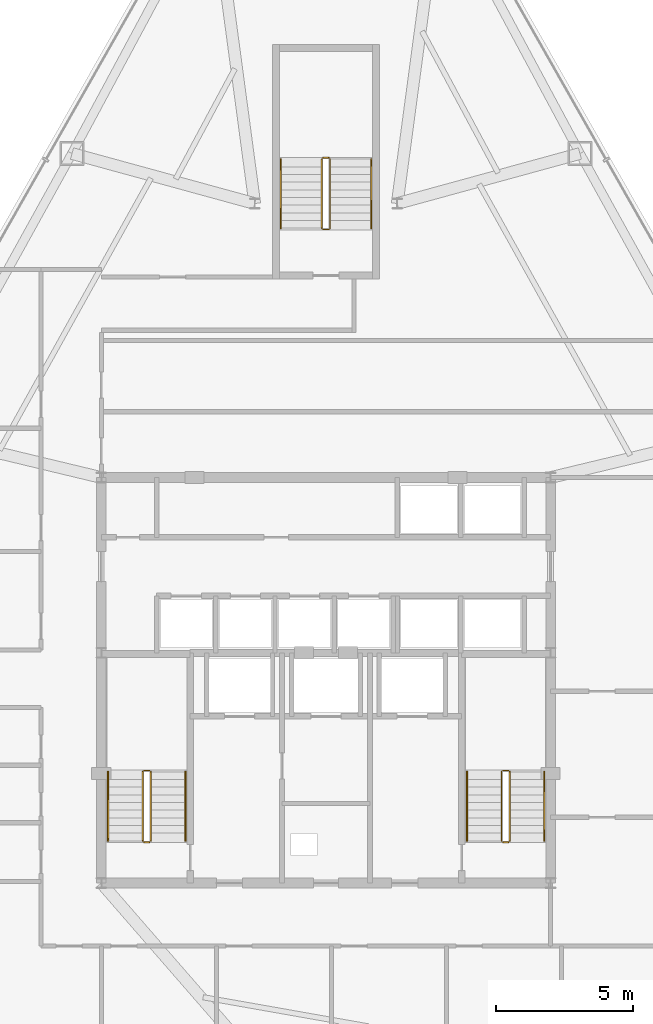
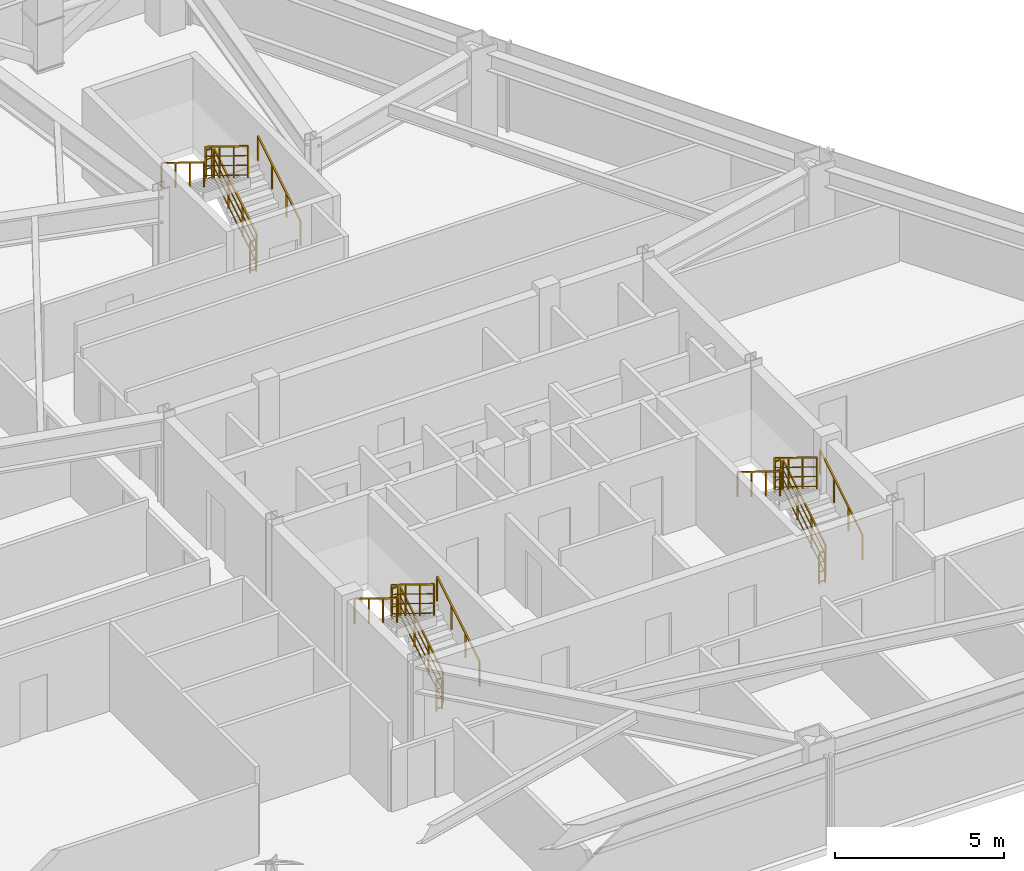
# One storey, part 13 of 13: 18 railings.
"""IFC4 building model written with IfcOpenShell, lengths in metres."""

import ifcopenshell
import ifcopenshell.guid

model = None  # the IFC model being written
_history = None  # IfcOwnerHistory: only IFC2X3 demands one
_inside = {}  # id of a spatial element -> (the spatial element, [elements in it])
_under = {}  # id of a project, library or spatial element -> (it, [spatial elements below it])
_declared = {}  # id of a project -> (the project, [libraries it declares])
_typed = {}  # id of a type object -> (the type object, [elements of that type])
_made_of = {}  # id of a material, layer set ... -> (it, [elements and type objects made of it])


def new_model(schema):
    """Start an empty IFC model of exactly this schema.

    Asked for "IFC4X3", IfcOpenShell would pick the latest addendum, in which some entities
    have other attributes; the version numbers below select the first issue.
    IFC2X3 requires an IfcOwnerHistory on every rooted entity: one is made here for all.
    """
    global model, _history
    if schema == "IFC4X3":
        model = ifcopenshell.file(schema_version=(4, 3, 0, 0))
    else:
        model = ifcopenshell.file(schema=schema)
    _inside.clear()
    _under.clear()
    _declared.clear()
    _typed.clear()
    _made_of.clear()
    _history = None
    if model.schema == "IFC2X3":
        org = make("IfcOrganization", Name="unknown")
        user = make(
            "IfcPersonAndOrganization",
            ThePerson=make("IfcPerson", FamilyName="unknown"),
            TheOrganization=org,
        )
        app = make(
            "IfcApplication",
            ApplicationDeveloper=org,
            Version="unknown",
            ApplicationFullName="unknown",
            ApplicationIdentifier="unknown",
        )
        _history = make(
            "IfcOwnerHistory",
            OwningUser=user,
            OwningApplication=app,
            ChangeAction="ADDED",
            CreationDate=0,
        )
    return model


def make(cls, **values):
    """One entity of the class cls with the attributes given. An attribute that is None is left unset."""
    return model.create_entity(
        cls, **{name: value for name, value in values.items() if value is not None}
    )


def rooted(cls, **values):
    """An entity with a GlobalId (a new one), such as an element, a storey or a relation."""
    return make(cls, GlobalId=ifcopenshell.guid.new(), OwnerHistory=_history, **values)


def si_unit(unit_type, name, prefix=None):
    """IfcSIUnit, for example si_unit("LENGTHUNIT", "METRE", prefix="MILLI")."""
    return make("IfcSIUnit", UnitType=unit_type, Prefix=prefix, Name=name)


def assignment(units):
    """IfcUnitAssignment: the units of a project."""
    return None if units is None else make("IfcUnitAssignment", Units=units)


def point(xyz):
    """IfcCartesianPoint."""
    return None if xyz is None else make("IfcCartesianPoint", Coordinates=xyz)


def direction(xyz):
    """IfcDirection."""
    return None if xyz is None else make("IfcDirection", DirectionRatios=xyz)


def frame(location, z_axis=None, x_axis=None):
    """IfcAxis2Placement3D, a coordinate frame: its origin and axes. An axis left out is left unset."""
    return make(
        "IfcAxis2Placement3D",
        Location=point(location),
        Axis=direction(z_axis),
        RefDirection=direction(x_axis),
    )


def frame_2d(location, x_axis=None):
    """IfcAxis2Placement2D, a coordinate frame in the plane: its origin and x axis."""
    return make(
        "IfcAxis2Placement2D", Location=point(location), RefDirection=direction(x_axis)
    )


def origin():
    """The frame at (0, 0, 0) with its axes left unset."""
    return frame((0.0, 0.0, 0.0))


def origin_2d():
    """The frame at (0, 0) in the plane with its x axis left unset."""
    return frame_2d((0.0, 0.0))


def place(relative_to, where):
    """IfcLocalPlacement: puts the frame where relative to a parent placement (None: the world)."""
    return make(
        "IfcLocalPlacement", PlacementRelTo=relative_to, RelativePlacement=where
    )


def context(
    kind, dimensions, precision=None, world=None, true_north=None, identifier=None
):
    """IfcGeometricRepresentationContext, for example the 3D "Model" context."""
    return make(
        "IfcGeometricRepresentationContext",
        ContextIdentifier=identifier,
        ContextType=kind,
        CoordinateSpaceDimension=dimensions,
        Precision=precision,
        WorldCoordinateSystem=world,
        TrueNorth=true_north,
    )


def subcontext(parent, identifier, kind, view, scale=None):
    """IfcGeometricRepresentationSubContext, for example "Body" below "Model"."""
    return make(
        "IfcGeometricRepresentationSubContext",
        ContextIdentifier=identifier,
        ContextType=kind,
        ParentContext=parent,
        TargetScale=scale,
        TargetView=view,
    )


def project(units=None, contexts=None):
    """IfcProject with its units and contexts."""
    return rooted(
        "IfcProject",
        Name="project",
        RepresentationContexts=contexts,
        UnitsInContext=assignment(units),
    )


def spatial(cls, under=None, at=None, **own):
    """A site, building, storey or space (cls), placed at a placement, below another one or the project."""
    s = rooted(cls, ObjectPlacement=at, **own)
    if under is not None:
        _under.setdefault(under.id(), (under, []))[1].append(s)
    return s


def profile(cls, at=None, kind="AREA", **sizes):
    """A parametric profile (cls). Its sizes go by their IFC names, for example OverallWidth=200.0."""
    return make(cls, ProfileType=kind, Position=at, **sizes)


def rectangle(**sizes):
    """IfcRectangleProfileDef."""
    return profile("IfcRectangleProfileDef", **sizes)


def extrude(swept, where, along, depth):
    """IfcExtrudedAreaSolid: the profile swept, set in the frame where, extruded along a direction by depth."""
    return make(
        "IfcExtrudedAreaSolid",
        SweptArea=swept,
        Position=where,
        ExtrudedDirection=direction(along),
        Depth=depth,
    )


def shape(context_of_items, identifier, shape_type, items):
    """IfcShapeRepresentation: the items that make up one representation, for example the "Body"."""
    return make(
        "IfcShapeRepresentation",
        ContextOfItems=context_of_items,
        RepresentationIdentifier=identifier,
        RepresentationType=shape_type,
        Items=items,
    )


def material(Name=None, Category=None):
    """IfcMaterial."""
    return make("IfcMaterial", Name=Name, Category=Category)


def made_of(thing, what):
    """Note that an element or type object is made of a material, layer set ...; save() writes the relation."""
    if what is not None:
        _made_of.setdefault(what.id(), (what, []))[1].append(thing)
    return thing


def type_object(cls, material=None, **own):
    """A type object (cls), such as IfcWallType, which elements share."""
    return made_of(rooted(cls, **own), material)


def element(
    cls,
    number,
    at=None,
    inside=None,
    cuts=None,
    type_object=None,
    material=None,
    context=None,
    identifier="Body",
    shape_type=None,
    held_by="IfcProductDefinitionShape",
    body=None,
    shapes=None,
    **own,
):
    """One element of the class cls, such as IfcWall. Its Tag is "e" and its number.

    at: its placement. inside: the storey or other place that contains it. cuts: it is an
    opening in that element (IfcRelVoidsElement). A single representation is given by context,
    identifier, shape_type and body (its items); several are given by shapes. held_by: the class
    of the entity that holds the representations. save() writes the other relations.
    """
    e = rooted(cls, Tag="e%d" % number, ObjectPlacement=at, **own)
    if body is not None:
        shapes = [shape(context, identifier, shape_type, body)]
    if shapes is not None:
        e.Representation = make(held_by, Representations=shapes)
    if inside is not None:
        _inside.setdefault(inside.id(), (inside, []))[1].append(e)
    if cuts is not None:
        rooted(
            "IfcRelVoidsElement", RelatingBuildingElement=cuts, RelatedOpeningElement=e
        )
    if type_object is not None:
        _typed.setdefault(type_object.id(), (type_object, []))[1].append(e)
    return made_of(e, material)


def aggregate(whole, parts):
    """IfcRelAggregates: a whole, such as a stair, and the parts it consists of."""
    return rooted("IfcRelAggregates", RelatingObject=whole, RelatedObjects=parts)


def save(model, path):
    """Write the relations noted so far, then the file.

    IfcRelAggregates (storeys below a building ...), IfcRelContainedInSpatialStructure (elements
    in a storey), IfcRelDefinesByType, IfcRelAssociatesMaterial and IfcRelDeclares: one each for
    every whole, place, type object, material and project.
    """
    for whole, parts in _under.values():
        aggregate(whole, parts)
    for where, things in _inside.values():
        rooted(
            "IfcRelContainedInSpatialStructure",
            RelatedElements=things,
            RelatingStructure=where,
        )
    for kind, things in _typed.values():
        rooted("IfcRelDefinesByType", RelatedObjects=things, RelatingType=kind)
    for what, things in _made_of.values():
        rooted("IfcRelAssociatesMaterial", RelatedObjects=things, RelatingMaterial=what)
    for by, libraries in _declared.values():
        rooted("IfcRelDeclares", RelatingContext=by, RelatedDefinitions=libraries)
    model.write(path)


model = new_model("IFC4")

# Units and contexts
model_context = context("Model", 3, precision=1e-05, world=origin(), true_north=direction((0.0, 1.0)))
body_context = subcontext(model_context, "Body", "Model", "MODEL_VIEW")
ifc_project = project(units=[si_unit("LENGTHUNIT", "METRE"), si_unit("AREAUNIT", "SQUARE_METRE"), si_unit("VOLUMEUNIT", "CUBIC_METRE"), si_unit("PLANEANGLEUNIT", "RADIAN"), si_unit("MASSUNIT", "GRAM", prefix="KILO")], contexts=[model_context])

# Site, building, storey
site_placement = place(None, origin())
site = spatial("IfcSite", under=ifc_project, at=site_placement, CompositionType="ELEMENT")
building_placement = place(site_placement, origin())
building = spatial("IfcBuilding", under=site, at=building_placement, Name="Varakhsha Concourse Tower", CompositionType="ELEMENT")
storey_placement = place(building_placement, frame((0.0, 0.0, 136.699951171875)))
storey = spatial("IfcBuildingStorey", under=building, at=storey_placement, Name="L39", CompositionType="ELEMENT", Elevation=136.699951171875)

# Railings
ifc_material = material(Name="Brushed Austenitic Stainless Steel AISI 316", Category="steel")
railing_type_1 = type_object("IfcRailingType", Name="RL-STAIR-GUARD-1100", PredefinedType="GUARDRAIL", material=ifc_material)
railing_1_placement = place(storey_placement, frame((33.610107421875, 17.93994140625, 0.172607421875)))
element("IfcRailing", 1, at=railing_1_placement, inside=storey, type_object=railing_type_1, Name="L39 ST1 stair guard 1", PredefinedType="GUARDRAIL", context=body_context, shape_type="SweptSolid", body=[
    extrude(rectangle(XDim=0.048095703125, YDim=0.048095703125, at=origin_2d()), frame((0.0, 0.0, 1.1259765625), z_axis=(0.0, 0.851400495292, 0.524516154772), x_axis=(-1.0, 0.0, 0.0)), (0.0, 0.0, 1.0), 2.9599609375),
    extrude(rectangle(XDim=0.028076171875, YDim=0.028076171875, at=origin_2d()), frame((0.0, 0.0, 0.080078125), z_axis=(0.0, 0.851400495292, 0.524516154772), x_axis=(-1.0, 0.0, 0.0)), (0.0, 0.0, 1.0), 2.9599609375),
    extrude(rectangle(XDim=0.028076171875, YDim=0.028076171875, at=origin_2d()), frame((0.0, 0.0, 0.43701171875), z_axis=(0.0, 0.851400495292, 0.524516154772), x_axis=(-1.0, 0.0, 0.0)), (0.0, 0.0, 1.0), 2.9599609375),
    extrude(rectangle(XDim=0.028076171875, YDim=0.028076171875, at=origin_2d()), frame((0.0, 0.0, 0.781982421875), z_axis=(0.0, 0.851400495292, 0.524516154772), x_axis=(-1.0, 0.0, 0.0)), (0.0, 0.0, 1.0), 2.9599609375),
    extrude(rectangle(XDim=0.0419921875, YDim=0.0419921875, at=origin_2d()), origin(), (0.0, 0.0, 1.0), 1.101806640625),
    extrude(rectangle(XDim=0.0419921875, YDim=0.0419921875, at=origin_2d()), frame((0.0, 0.840087890625, 0.517578125)), (0.0, 0.0, 1.0), 1.101806640625),
    extrude(rectangle(XDim=0.0419921875, YDim=0.0419921875, at=origin_2d()), frame((0.0, 1.679931640625, 1.034912109375)), (0.0, 0.0, 1.0), 1.101806640625),
    extrude(rectangle(XDim=0.0419921875, YDim=0.0419921875, at=origin_2d()), frame((0.0, 2.52001953125, 1.552490234375)), (0.0, 0.0, 1.0), 1.101806640625),
])
railing_2_placement = place(storey_placement, frame((33.56005859375, 20.510009765625, 1.72509765625)))
element("IfcRailing", 2, at=railing_2_placement, inside=storey, type_object=railing_type_1, Name="L39 ST1 stair guard 2", PredefinedType="GUARDRAIL", context=body_context, shape_type="SweptSolid", body=[
    extrude(rectangle(XDim=0.048095703125, YDim=0.048095703125, at=origin_2d()), frame((0.0, 0.0, 1.1259765625), z_axis=(-1.0, 0.0, 0.0), x_axis=(0.0, -1.0, 0.0)), (0.0, 0.0, 1.0), 0.199951171875),
    extrude(rectangle(XDim=0.028076171875, YDim=0.028076171875, at=origin_2d()), frame((0.0, 0.0, 0.080078125), z_axis=(-1.0, 0.0, 0.0), x_axis=(0.0, -1.0, 0.0)), (0.0, 0.0, 1.0), 0.199951171875),
    extrude(rectangle(XDim=0.028076171875, YDim=0.028076171875, at=origin_2d()), frame((0.0, 0.0, 0.43701171875), z_axis=(-1.0, 0.0, 0.0), x_axis=(0.0, -1.0, 0.0)), (0.0, 0.0, 1.0), 0.199951171875),
    extrude(rectangle(XDim=0.028076171875, YDim=0.028076171875, at=origin_2d()), frame((0.0, 0.0, 0.781982421875), z_axis=(-1.0, 0.0, 0.0), x_axis=(0.0, -1.0, 0.0)), (0.0, 0.0, 1.0), 0.199951171875),
    extrude(rectangle(XDim=0.0419921875, YDim=0.0419921875, at=origin_2d()), origin(), (0.0, 0.0, 1.0), 1.101806640625),
    extrude(rectangle(XDim=0.0419921875, YDim=0.0419921875, at=origin_2d()), frame((-0.199951171875, 0.0, 0.0)), (0.0, 0.0, 1.0), 1.101806640625),
])
railing_3_placement = place(storey_placement, frame((33.31005859375, 20.4599609375, 1.8974609375)))
element("IfcRailing", 3, at=railing_3_placement, inside=storey, type_object=railing_type_1, Name="L39 ST1 stair guard 3", PredefinedType="GUARDRAIL", context=body_context, shape_type="SweptSolid", body=[
    extrude(rectangle(XDim=0.048095703125, YDim=0.048095703125, at=origin_2d()), frame((0.0, 0.0, 1.1259765625), z_axis=(0.0, -0.851400495292, 0.524516154772), x_axis=(1.0, 0.0, 0.0)), (0.0, 0.0, 1.0), 2.9599609375),
    extrude(rectangle(XDim=0.028076171875, YDim=0.028076171875, at=origin_2d()), frame((0.0, 0.0, 0.080078125), z_axis=(0.0, -0.851400495292, 0.524516154772), x_axis=(1.0, 0.0, 0.0)), (0.0, 0.0, 1.0), 2.9599609375),
    extrude(rectangle(XDim=0.028076171875, YDim=0.028076171875, at=origin_2d()), frame((0.0, 0.0, 0.43701171875), z_axis=(0.0, -0.851400495292, 0.524516154772), x_axis=(1.0, 0.0, 0.0)), (0.0, 0.0, 1.0), 2.9599609375),
    extrude(rectangle(XDim=0.028076171875, YDim=0.028076171875, at=origin_2d()), frame((0.0, 0.0, 0.781982421875), z_axis=(0.0, -0.851400495292, 0.524516154772), x_axis=(1.0, 0.0, 0.0)), (0.0, 0.0, 1.0), 2.9599609375),
    extrude(rectangle(XDim=0.0419921875, YDim=0.0419921875, at=origin_2d()), origin(), (0.0, 0.0, 1.0), 1.101806640625),
    extrude(rectangle(XDim=0.0419921875, YDim=0.0419921875, at=origin_2d()), frame((0.0, -0.840087890625, 0.517578125)), (0.0, 0.0, 1.0), 1.101806640625),
    extrude(rectangle(XDim=0.0419921875, YDim=0.0419921875, at=origin_2d()), frame((0.0, -1.679931640625, 1.034912109375)), (0.0, 0.0, 1.0), 1.101806640625),
    extrude(rectangle(XDim=0.0419921875, YDim=0.0419921875, at=origin_2d()), frame((0.0, -2.52001953125, 1.552490234375)), (0.0, 0.0, 1.0), 1.101806640625),
])
railing_4_placement = place(storey_placement, frame((33.56005859375, 17.889892578125, 0.0)))
element("IfcRailing", 4, at=railing_4_placement, inside=storey, type_object=railing_type_1, Name="L39 ST1 stair guard 4", PredefinedType="GUARDRAIL", context=body_context, shape_type="SweptSolid", body=[
    extrude(rectangle(XDim=0.048095703125, YDim=0.048095703125, at=origin_2d()), frame((0.0, 0.0, 1.1259765625), z_axis=(-1.0, 0.0, 0.0), x_axis=(0.0, -1.0, 0.0)), (0.0, 0.0, 1.0), 0.199951171875),
    extrude(rectangle(XDim=0.028076171875, YDim=0.028076171875, at=origin_2d()), frame((0.0, 0.0, 0.080078125), z_axis=(-1.0, 0.0, 0.0), x_axis=(0.0, -1.0, 0.0)), (0.0, 0.0, 1.0), 0.199951171875),
    extrude(rectangle(XDim=0.028076171875, YDim=0.028076171875, at=origin_2d()), frame((0.0, 0.0, 0.43701171875), z_axis=(-1.0, 0.0, 0.0), x_axis=(0.0, -1.0, 0.0)), (0.0, 0.0, 1.0), 0.199951171875),
    extrude(rectangle(XDim=0.028076171875, YDim=0.028076171875, at=origin_2d()), frame((0.0, 0.0, 0.781982421875), z_axis=(-1.0, 0.0, 0.0), x_axis=(0.0, -1.0, 0.0)), (0.0, 0.0, 1.0), 0.199951171875),
    extrude(rectangle(XDim=0.0419921875, YDim=0.0419921875, at=origin_2d()), origin(), (0.0, 0.0, 1.0), 1.101806640625),
    extrude(rectangle(XDim=0.0419921875, YDim=0.0419921875, at=origin_2d()), frame((-0.199951171875, 0.0, 0.0)), (0.0, 0.0, 1.0), 1.101806640625),
])
railing_5_placement = place(storey_placement, frame((46.7099609375, 17.93994140625, 0.172607421875)))
element("IfcRailing", 5, at=railing_5_placement, inside=storey, type_object=railing_type_1, Name="L39 ST2 stair guard 1", PredefinedType="GUARDRAIL", context=body_context, shape_type="SweptSolid", body=[
    extrude(rectangle(XDim=0.048095703125, YDim=0.048095703125, at=origin_2d()), frame((0.0, 0.0, 1.1259765625), z_axis=(0.0, 0.851400495292, 0.524516154772), x_axis=(-1.0, 0.0, 0.0)), (0.0, 0.0, 1.0), 2.9599609375),
    extrude(rectangle(XDim=0.028076171875, YDim=0.028076171875, at=origin_2d()), frame((0.0, 0.0, 0.080078125), z_axis=(0.0, 0.851400495292, 0.524516154772), x_axis=(-1.0, 0.0, 0.0)), (0.0, 0.0, 1.0), 2.9599609375),
    extrude(rectangle(XDim=0.028076171875, YDim=0.028076171875, at=origin_2d()), frame((0.0, 0.0, 0.43701171875), z_axis=(0.0, 0.851400495292, 0.524516154772), x_axis=(-1.0, 0.0, 0.0)), (0.0, 0.0, 1.0), 2.9599609375),
    extrude(rectangle(XDim=0.028076171875, YDim=0.028076171875, at=origin_2d()), frame((0.0, 0.0, 0.781982421875), z_axis=(0.0, 0.851400495292, 0.524516154772), x_axis=(-1.0, 0.0, 0.0)), (0.0, 0.0, 1.0), 2.9599609375),
    extrude(rectangle(XDim=0.0419921875, YDim=0.0419921875, at=origin_2d()), origin(), (0.0, 0.0, 1.0), 1.101806640625),
    extrude(rectangle(XDim=0.0419921875, YDim=0.0419921875, at=origin_2d()), frame((0.0, 0.840087890625, 0.517578125)), (0.0, 0.0, 1.0), 1.101806640625),
    extrude(rectangle(XDim=0.0419921875, YDim=0.0419921875, at=origin_2d()), frame((0.0, 1.679931640625, 1.034912109375)), (0.0, 0.0, 1.0), 1.101806640625),
    extrude(rectangle(XDim=0.0419921875, YDim=0.0419921875, at=origin_2d()), frame((0.0, 2.52001953125, 1.552490234375)), (0.0, 0.0, 1.0), 1.101806640625),
])
railing_6_placement = place(storey_placement, frame((46.659912109375, 20.510009765625, 1.72509765625)))
element("IfcRailing", 6, at=railing_6_placement, inside=storey, type_object=railing_type_1, Name="L39 ST2 stair guard 2", PredefinedType="GUARDRAIL", context=body_context, shape_type="SweptSolid", body=[
    extrude(rectangle(XDim=0.048095703125, YDim=0.048095703125, at=origin_2d()), frame((0.0, 0.0, 1.1259765625), z_axis=(-1.0, 0.0, 0.0), x_axis=(0.0, -1.0, 0.0)), (0.0, 0.0, 1.0), 0.199951171875),
    extrude(rectangle(XDim=0.028076171875, YDim=0.028076171875, at=origin_2d()), frame((0.0, 0.0, 0.080078125), z_axis=(-1.0, 0.0, 0.0), x_axis=(0.0, -1.0, 0.0)), (0.0, 0.0, 1.0), 0.199951171875),
    extrude(rectangle(XDim=0.028076171875, YDim=0.028076171875, at=origin_2d()), frame((0.0, 0.0, 0.43701171875), z_axis=(-1.0, 0.0, 0.0), x_axis=(0.0, -1.0, 0.0)), (0.0, 0.0, 1.0), 0.199951171875),
    extrude(rectangle(XDim=0.028076171875, YDim=0.028076171875, at=origin_2d()), frame((0.0, 0.0, 0.781982421875), z_axis=(-1.0, 0.0, 0.0), x_axis=(0.0, -1.0, 0.0)), (0.0, 0.0, 1.0), 0.199951171875),
    extrude(rectangle(XDim=0.0419921875, YDim=0.0419921875, at=origin_2d()), origin(), (0.0, 0.0, 1.0), 1.101806640625),
    extrude(rectangle(XDim=0.0419921875, YDim=0.0419921875, at=origin_2d()), frame((-0.199951171875, 0.0, 0.0)), (0.0, 0.0, 1.0), 1.101806640625),
])
railing_7_placement = place(storey_placement, frame((46.409912109375, 20.4599609375, 1.8974609375)))
element("IfcRailing", 7, at=railing_7_placement, inside=storey, type_object=railing_type_1, Name="L39 ST2 stair guard 3", PredefinedType="GUARDRAIL", context=body_context, shape_type="SweptSolid", body=[
    extrude(rectangle(XDim=0.048095703125, YDim=0.048095703125, at=origin_2d()), frame((0.0, 0.0, 1.1259765625), z_axis=(0.0, -0.851400495292, 0.524516154772), x_axis=(1.0, 0.0, 0.0)), (0.0, 0.0, 1.0), 2.9599609375),
    extrude(rectangle(XDim=0.028076171875, YDim=0.028076171875, at=origin_2d()), frame((0.0, 0.0, 0.080078125), z_axis=(0.0, -0.851400495292, 0.524516154772), x_axis=(1.0, 0.0, 0.0)), (0.0, 0.0, 1.0), 2.9599609375),
    extrude(rectangle(XDim=0.028076171875, YDim=0.028076171875, at=origin_2d()), frame((0.0, 0.0, 0.43701171875), z_axis=(0.0, -0.851400495292, 0.524516154772), x_axis=(1.0, 0.0, 0.0)), (0.0, 0.0, 1.0), 2.9599609375),
    extrude(rectangle(XDim=0.028076171875, YDim=0.028076171875, at=origin_2d()), frame((0.0, 0.0, 0.781982421875), z_axis=(0.0, -0.851400495292, 0.524516154772), x_axis=(1.0, 0.0, 0.0)), (0.0, 0.0, 1.0), 2.9599609375),
    extrude(rectangle(XDim=0.0419921875, YDim=0.0419921875, at=origin_2d()), origin(), (0.0, 0.0, 1.0), 1.101806640625),
    extrude(rectangle(XDim=0.0419921875, YDim=0.0419921875, at=origin_2d()), frame((0.0, -0.840087890625, 0.517578125)), (0.0, 0.0, 1.0), 1.101806640625),
    extrude(rectangle(XDim=0.0419921875, YDim=0.0419921875, at=origin_2d()), frame((0.0, -1.679931640625, 1.034912109375)), (0.0, 0.0, 1.0), 1.101806640625),
    extrude(rectangle(XDim=0.0419921875, YDim=0.0419921875, at=origin_2d()), frame((0.0, -2.52001953125, 1.552490234375)), (0.0, 0.0, 1.0), 1.101806640625),
])
railing_8_placement = place(storey_placement, frame((46.659912109375, 17.889892578125, 0.0)))
element("IfcRailing", 8, at=railing_8_placement, inside=storey, type_object=railing_type_1, Name="L39 ST2 stair guard 4", PredefinedType="GUARDRAIL", context=body_context, shape_type="SweptSolid", body=[
    extrude(rectangle(XDim=0.048095703125, YDim=0.048095703125, at=origin_2d()), frame((0.0, 0.0, 1.1259765625), z_axis=(-1.0, 0.0, 0.0), x_axis=(0.0, -1.0, 0.0)), (0.0, 0.0, 1.0), 0.199951171875),
    extrude(rectangle(XDim=0.028076171875, YDim=0.028076171875, at=origin_2d()), frame((0.0, 0.0, 0.080078125), z_axis=(-1.0, 0.0, 0.0), x_axis=(0.0, -1.0, 0.0)), (0.0, 0.0, 1.0), 0.199951171875),
    extrude(rectangle(XDim=0.028076171875, YDim=0.028076171875, at=origin_2d()), frame((0.0, 0.0, 0.43701171875), z_axis=(-1.0, 0.0, 0.0), x_axis=(0.0, -1.0, 0.0)), (0.0, 0.0, 1.0), 0.199951171875),
    extrude(rectangle(XDim=0.028076171875, YDim=0.028076171875, at=origin_2d()), frame((0.0, 0.0, 0.781982421875), z_axis=(-1.0, 0.0, 0.0), x_axis=(0.0, -1.0, 0.0)), (0.0, 0.0, 1.0), 0.199951171875),
    extrude(rectangle(XDim=0.0419921875, YDim=0.0419921875, at=origin_2d()), origin(), (0.0, 0.0, 1.0), 1.101806640625),
    extrude(rectangle(XDim=0.0419921875, YDim=0.0419921875, at=origin_2d()), frame((-0.199951171875, 0.0, 0.0)), (0.0, 0.0, 1.0), 1.101806640625),
])
railing_9_placement = place(storey_placement, frame((40.14990234375, 40.300048828125, 0.172607421875)))
element("IfcRailing", 9, at=railing_9_placement, inside=storey, type_object=railing_type_1, Name="L39 ST5 stair guard 1", PredefinedType="GUARDRAIL", context=body_context, shape_type="SweptSolid", body=[
    extrude(rectangle(XDim=0.048095703125, YDim=0.048095703125, at=origin_2d()), frame((0.0, 0.0, 1.1259765625), z_axis=(0.0, 0.851400495292, 0.524516154772), x_axis=(-1.0, 0.0, 0.0)), (0.0, 0.0, 1.0), 2.9599609375),
    extrude(rectangle(XDim=0.028076171875, YDim=0.028076171875, at=origin_2d()), frame((0.0, 0.0, 0.080078125), z_axis=(0.0, 0.851400495292, 0.524516154772), x_axis=(-1.0, 0.0, 0.0)), (0.0, 0.0, 1.0), 2.9599609375),
    extrude(rectangle(XDim=0.028076171875, YDim=0.028076171875, at=origin_2d()), frame((0.0, 0.0, 0.43701171875), z_axis=(0.0, 0.851400495292, 0.524516154772), x_axis=(-1.0, 0.0, 0.0)), (0.0, 0.0, 1.0), 2.9599609375),
    extrude(rectangle(XDim=0.028076171875, YDim=0.028076171875, at=origin_2d()), frame((0.0, 0.0, 0.781982421875), z_axis=(0.0, 0.851400495292, 0.524516154772), x_axis=(-1.0, 0.0, 0.0)), (0.0, 0.0, 1.0), 2.9599609375),
    extrude(rectangle(XDim=0.0419921875, YDim=0.0419921875, at=origin_2d()), origin(), (0.0, 0.0, 1.0), 1.101806640625),
    extrude(rectangle(XDim=0.0419921875, YDim=0.0419921875, at=origin_2d()), frame((0.0, 0.840087890625, 0.517578125)), (0.0, 0.0, 1.0), 1.101806640625),
    extrude(rectangle(XDim=0.0419921875, YDim=0.0419921875, at=origin_2d()), frame((0.0, 1.679931640625, 1.034912109375)), (0.0, 0.0, 1.0), 1.101806640625),
    extrude(rectangle(XDim=0.0419921875, YDim=0.0419921875, at=origin_2d()), frame((0.0, 2.52001953125, 1.552490234375)), (0.0, 0.0, 1.0), 1.101806640625),
])
railing_10_placement = place(storey_placement, frame((40.10009765625, 42.8701171875, 1.72509765625)))
element("IfcRailing", 10, at=railing_10_placement, inside=storey, type_object=railing_type_1, Name="L39 ST5 stair guard 2", PredefinedType="GUARDRAIL", context=body_context, shape_type="SweptSolid", body=[
    extrude(rectangle(XDim=0.048095703125, YDim=0.048095703125, at=origin_2d()), frame((0.0, 0.0, 1.1259765625), z_axis=(-1.0, 0.0, 0.0), x_axis=(0.0, -1.0, 0.0)), (0.0, 0.0, 1.0), 0.2001953125),
    extrude(rectangle(XDim=0.028076171875, YDim=0.028076171875, at=origin_2d()), frame((0.0, 0.0, 0.080078125), z_axis=(-1.0, 0.0, 0.0), x_axis=(0.0, -1.0, 0.0)), (0.0, 0.0, 1.0), 0.2001953125),
    extrude(rectangle(XDim=0.028076171875, YDim=0.028076171875, at=origin_2d()), frame((0.0, 0.0, 0.43701171875), z_axis=(-1.0, 0.0, 0.0), x_axis=(0.0, -1.0, 0.0)), (0.0, 0.0, 1.0), 0.2001953125),
    extrude(rectangle(XDim=0.028076171875, YDim=0.028076171875, at=origin_2d()), frame((0.0, 0.0, 0.781982421875), z_axis=(-1.0, 0.0, 0.0), x_axis=(0.0, -1.0, 0.0)), (0.0, 0.0, 1.0), 0.2001953125),
    extrude(rectangle(XDim=0.0419921875, YDim=0.0419921875, at=origin_2d()), origin(), (0.0, 0.0, 1.0), 1.101806640625),
    extrude(rectangle(XDim=0.0419921875, YDim=0.0419921875, at=origin_2d()), frame((-0.2001953125, 0.0, 0.0)), (0.0, 0.0, 1.0), 1.101806640625),
])
railing_11_placement = place(storey_placement, frame((39.85009765625, 42.820068359375, 1.8974609375)))
element("IfcRailing", 11, at=railing_11_placement, inside=storey, type_object=railing_type_1, Name="L39 ST5 stair guard 3", PredefinedType="GUARDRAIL", context=body_context, shape_type="SweptSolid", body=[
    extrude(rectangle(XDim=0.048095703125, YDim=0.048095703125, at=origin_2d()), frame((0.0, 0.0, 1.1259765625), z_axis=(0.0, -0.851400495292, 0.524516154772), x_axis=(1.0, 0.0, 0.0)), (0.0, 0.0, 1.0), 2.9599609375),
    extrude(rectangle(XDim=0.028076171875, YDim=0.028076171875, at=origin_2d()), frame((0.0, 0.0, 0.080078125), z_axis=(0.0, -0.851400495292, 0.524516154772), x_axis=(1.0, 0.0, 0.0)), (0.0, 0.0, 1.0), 2.9599609375),
    extrude(rectangle(XDim=0.028076171875, YDim=0.028076171875, at=origin_2d()), frame((0.0, 0.0, 0.43701171875), z_axis=(0.0, -0.851400495292, 0.524516154772), x_axis=(1.0, 0.0, 0.0)), (0.0, 0.0, 1.0), 2.9599609375),
    extrude(rectangle(XDim=0.028076171875, YDim=0.028076171875, at=origin_2d()), frame((0.0, 0.0, 0.781982421875), z_axis=(0.0, -0.851400495292, 0.524516154772), x_axis=(1.0, 0.0, 0.0)), (0.0, 0.0, 1.0), 2.9599609375),
    extrude(rectangle(XDim=0.0419921875, YDim=0.0419921875, at=origin_2d()), origin(), (0.0, 0.0, 1.0), 1.101806640625),
    extrude(rectangle(XDim=0.0419921875, YDim=0.0419921875, at=origin_2d()), frame((0.0, -0.840087890625, 0.517578125)), (0.0, 0.0, 1.0), 1.101806640625),
    extrude(rectangle(XDim=0.0419921875, YDim=0.0419921875, at=origin_2d()), frame((0.0, -1.679931640625, 1.034912109375)), (0.0, 0.0, 1.0), 1.101806640625),
    extrude(rectangle(XDim=0.0419921875, YDim=0.0419921875, at=origin_2d()), frame((0.0, -2.52001953125, 1.552490234375)), (0.0, 0.0, 1.0), 1.101806640625),
])
railing_12_placement = place(storey_placement, frame((40.10009765625, 40.25, 0.0)))
element("IfcRailing", 12, at=railing_12_placement, inside=storey, type_object=railing_type_1, Name="L39 ST5 stair guard 4", PredefinedType="GUARDRAIL", context=body_context, shape_type="SweptSolid", body=[
    extrude(rectangle(XDim=0.048095703125, YDim=0.048095703125, at=origin_2d()), frame((0.0, 0.0, 1.1259765625), z_axis=(-1.0, 0.0, 0.0), x_axis=(0.0, -1.0, 0.0)), (0.0, 0.0, 1.0), 0.2001953125),
    extrude(rectangle(XDim=0.028076171875, YDim=0.028076171875, at=origin_2d()), frame((0.0, 0.0, 0.080078125), z_axis=(-1.0, 0.0, 0.0), x_axis=(0.0, -1.0, 0.0)), (0.0, 0.0, 1.0), 0.2001953125),
    extrude(rectangle(XDim=0.028076171875, YDim=0.028076171875, at=origin_2d()), frame((0.0, 0.0, 0.43701171875), z_axis=(-1.0, 0.0, 0.0), x_axis=(0.0, -1.0, 0.0)), (0.0, 0.0, 1.0), 0.2001953125),
    extrude(rectangle(XDim=0.028076171875, YDim=0.028076171875, at=origin_2d()), frame((0.0, 0.0, 0.781982421875), z_axis=(-1.0, 0.0, 0.0), x_axis=(0.0, -1.0, 0.0)), (0.0, 0.0, 1.0), 0.2001953125),
    extrude(rectangle(XDim=0.0419921875, YDim=0.0419921875, at=origin_2d()), origin(), (0.0, 0.0, 1.0), 1.101806640625),
    extrude(rectangle(XDim=0.0419921875, YDim=0.0419921875, at=origin_2d()), frame((-0.2001953125, 0.0, 0.0)), (0.0, 0.0, 1.0), 1.101806640625),
])
railing_type_2 = type_object("IfcRailingType", Name="RL-STAIR-RAIL-915", PredefinedType="HANDRAIL", material=ifc_material)
railing_13_placement = place(storey_placement, frame((34.8701171875, 17.93994140625, 0.344970703125)))
element("IfcRailing", 13, at=railing_13_placement, inside=storey, type_object=railing_type_2, Name="L39 ST1 stair handrail 1", PredefinedType="HANDRAIL", context=body_context, shape_type="SweptSolid", body=[
    extrude(rectangle(XDim=0.048095703125, YDim=0.048095703125, at=origin_2d()), frame((0.0, 0.0, 0.89111328125), z_axis=(0.0, 0.851400495292, 0.524516154772), x_axis=(-1.0, 0.0, 0.0)), (0.0, 0.0, 1.0), 2.9599609375),
    extrude(rectangle(XDim=0.0419921875, YDim=0.0419921875, at=origin_2d()), origin(), (0.0, 0.0, 1.0), 0.866943359375),
    extrude(rectangle(XDim=0.0419921875, YDim=0.0419921875, at=origin_2d()), frame((0.0, 0.840087890625, 0.517578125)), (0.0, 0.0, 1.0), 0.866943359375),
    extrude(rectangle(XDim=0.0419921875, YDim=0.0419921875, at=origin_2d()), frame((0.0, 1.679931640625, 1.034912109375)), (0.0, 0.0, 1.0), 0.866943359375),
    extrude(rectangle(XDim=0.0419921875, YDim=0.0419921875, at=origin_2d()), frame((0.0, 2.52001953125, 1.552490234375)), (0.0, 0.0, 1.0), 0.866943359375),
])
railing_14_placement = place(storey_placement, frame((32.050048828125, 20.4599609375, 2.070068359375)))
element("IfcRailing", 14, at=railing_14_placement, inside=storey, type_object=railing_type_2, Name="L39 ST1 stair handrail 2", PredefinedType="HANDRAIL", context=body_context, shape_type="SweptSolid", body=[
    extrude(rectangle(XDim=0.048095703125, YDim=0.048095703125, at=origin_2d()), frame((0.0, 0.0, 0.89111328125), z_axis=(0.0, -0.851400495292, 0.524516154772), x_axis=(1.0, 0.0, 0.0)), (0.0, 0.0, 1.0), 2.9599609375),
    extrude(rectangle(XDim=0.0419921875, YDim=0.0419921875, at=origin_2d()), origin(), (0.0, 0.0, 1.0), 0.866943359375),
    extrude(rectangle(XDim=0.0419921875, YDim=0.0419921875, at=origin_2d()), frame((0.0, -0.840087890625, 0.517578125)), (0.0, 0.0, 1.0), 0.866943359375),
    extrude(rectangle(XDim=0.0419921875, YDim=0.0419921875, at=origin_2d()), frame((0.0, -1.679931640625, 1.034912109375)), (0.0, 0.0, 1.0), 0.866943359375),
    extrude(rectangle(XDim=0.0419921875, YDim=0.0419921875, at=origin_2d()), frame((0.0, -2.52001953125, 1.552490234375)), (0.0, 0.0, 1.0), 0.866943359375),
])
railing_15_placement = place(storey_placement, frame((47.969970703125, 17.93994140625, 0.344970703125)))
element("IfcRailing", 15, at=railing_15_placement, inside=storey, type_object=railing_type_2, Name="L39 ST2 stair handrail 1", PredefinedType="HANDRAIL", context=body_context, shape_type="SweptSolid", body=[
    extrude(rectangle(XDim=0.048095703125, YDim=0.048095703125, at=origin_2d()), frame((0.0, 0.0, 0.89111328125), z_axis=(0.0, 0.851400495292, 0.524516154772), x_axis=(-1.0, 0.0, 0.0)), (0.0, 0.0, 1.0), 2.9599609375),
    extrude(rectangle(XDim=0.0419921875, YDim=0.0419921875, at=origin_2d()), origin(), (0.0, 0.0, 1.0), 0.866943359375),
    extrude(rectangle(XDim=0.0419921875, YDim=0.0419921875, at=origin_2d()), frame((0.0, 0.840087890625, 0.517578125)), (0.0, 0.0, 1.0), 0.866943359375),
    extrude(rectangle(XDim=0.0419921875, YDim=0.0419921875, at=origin_2d()), frame((0.0, 1.679931640625, 1.034912109375)), (0.0, 0.0, 1.0), 0.866943359375),
    extrude(rectangle(XDim=0.0419921875, YDim=0.0419921875, at=origin_2d()), frame((0.0, 2.52001953125, 1.552490234375)), (0.0, 0.0, 1.0), 0.866943359375),
])
railing_16_placement = place(storey_placement, frame((45.14990234375, 20.4599609375, 2.070068359375)))
element("IfcRailing", 16, at=railing_16_placement, inside=storey, type_object=railing_type_2, Name="L39 ST2 stair handrail 2", PredefinedType="HANDRAIL", context=body_context, shape_type="SweptSolid", body=[
    extrude(rectangle(XDim=0.048095703125, YDim=0.048095703125, at=origin_2d()), frame((0.0, 0.0, 0.89111328125), z_axis=(0.0, -0.851400495292, 0.524516154772), x_axis=(1.0, 0.0, 0.0)), (0.0, 0.0, 1.0), 2.9599609375),
    extrude(rectangle(XDim=0.0419921875, YDim=0.0419921875, at=origin_2d()), origin(), (0.0, 0.0, 1.0), 0.866943359375),
    extrude(rectangle(XDim=0.0419921875, YDim=0.0419921875, at=origin_2d()), frame((0.0, -0.840087890625, 0.517578125)), (0.0, 0.0, 1.0), 0.866943359375),
    extrude(rectangle(XDim=0.0419921875, YDim=0.0419921875, at=origin_2d()), frame((0.0, -1.679931640625, 1.034912109375)), (0.0, 0.0, 1.0), 0.866943359375),
    extrude(rectangle(XDim=0.0419921875, YDim=0.0419921875, at=origin_2d()), frame((0.0, -2.52001953125, 1.552490234375)), (0.0, 0.0, 1.0), 0.866943359375),
])
railing_17_placement = place(storey_placement, frame((41.64990234375, 40.300048828125, 0.344970703125)))
element("IfcRailing", 17, at=railing_17_placement, inside=storey, type_object=railing_type_2, Name="L39 ST5 stair handrail 1", PredefinedType="HANDRAIL", context=body_context, shape_type="SweptSolid", body=[
    extrude(rectangle(XDim=0.048095703125, YDim=0.048095703125, at=origin_2d()), frame((0.0, 0.0, 0.89111328125), z_axis=(0.0, 0.851400495292, 0.524516154772), x_axis=(-1.0, 0.0, 0.0)), (0.0, 0.0, 1.0), 2.9599609375),
    extrude(rectangle(XDim=0.0419921875, YDim=0.0419921875, at=origin_2d()), origin(), (0.0, 0.0, 1.0), 0.866943359375),
    extrude(rectangle(XDim=0.0419921875, YDim=0.0419921875, at=origin_2d()), frame((0.0, 0.840087890625, 0.517578125)), (0.0, 0.0, 1.0), 0.866943359375),
    extrude(rectangle(XDim=0.0419921875, YDim=0.0419921875, at=origin_2d()), frame((0.0, 1.679931640625, 1.034912109375)), (0.0, 0.0, 1.0), 0.866943359375),
    extrude(rectangle(XDim=0.0419921875, YDim=0.0419921875, at=origin_2d()), frame((0.0, 2.52001953125, 1.552490234375)), (0.0, 0.0, 1.0), 0.866943359375),
])
railing_18_placement = place(storey_placement, frame((38.35009765625, 42.820068359375, 2.070068359375)))
element("IfcRailing", 18, at=railing_18_placement, inside=storey, type_object=railing_type_2, Name="L39 ST5 stair handrail 2", PredefinedType="HANDRAIL", context=body_context, shape_type="SweptSolid", body=[
    extrude(rectangle(XDim=0.048095703125, YDim=0.048095703125, at=origin_2d()), frame((0.0, 0.0, 0.89111328125), z_axis=(0.0, -0.851400495292, 0.524516154772), x_axis=(1.0, 0.0, 0.0)), (0.0, 0.0, 1.0), 2.9599609375),
    extrude(rectangle(XDim=0.0419921875, YDim=0.0419921875, at=origin_2d()), origin(), (0.0, 0.0, 1.0), 0.866943359375),
    extrude(rectangle(XDim=0.0419921875, YDim=0.0419921875, at=origin_2d()), frame((0.0, -0.840087890625, 0.517578125)), (0.0, 0.0, 1.0), 0.866943359375),
    extrude(rectangle(XDim=0.0419921875, YDim=0.0419921875, at=origin_2d()), frame((0.0, -1.679931640625, 1.034912109375)), (0.0, 0.0, 1.0), 0.866943359375),
    extrude(rectangle(XDim=0.0419921875, YDim=0.0419921875, at=origin_2d()), frame((0.0, -2.52001953125, 1.552490234375)), (0.0, 0.0, 1.0), 0.866943359375),
])

save(model, "model.ifc")
